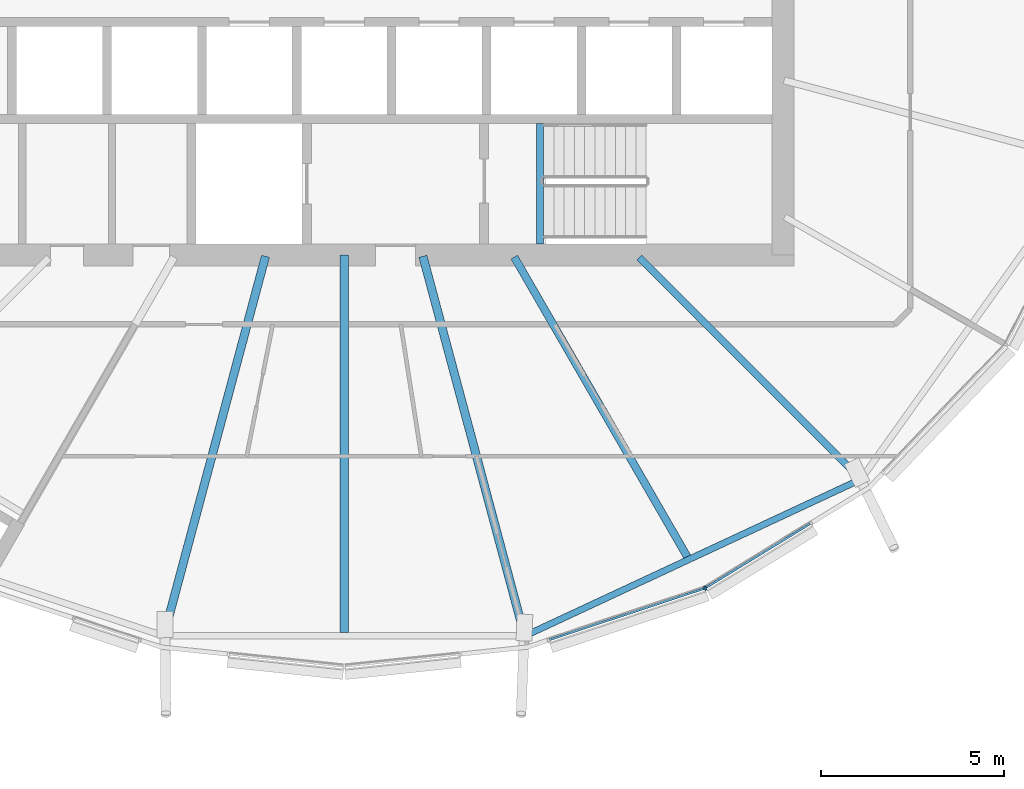
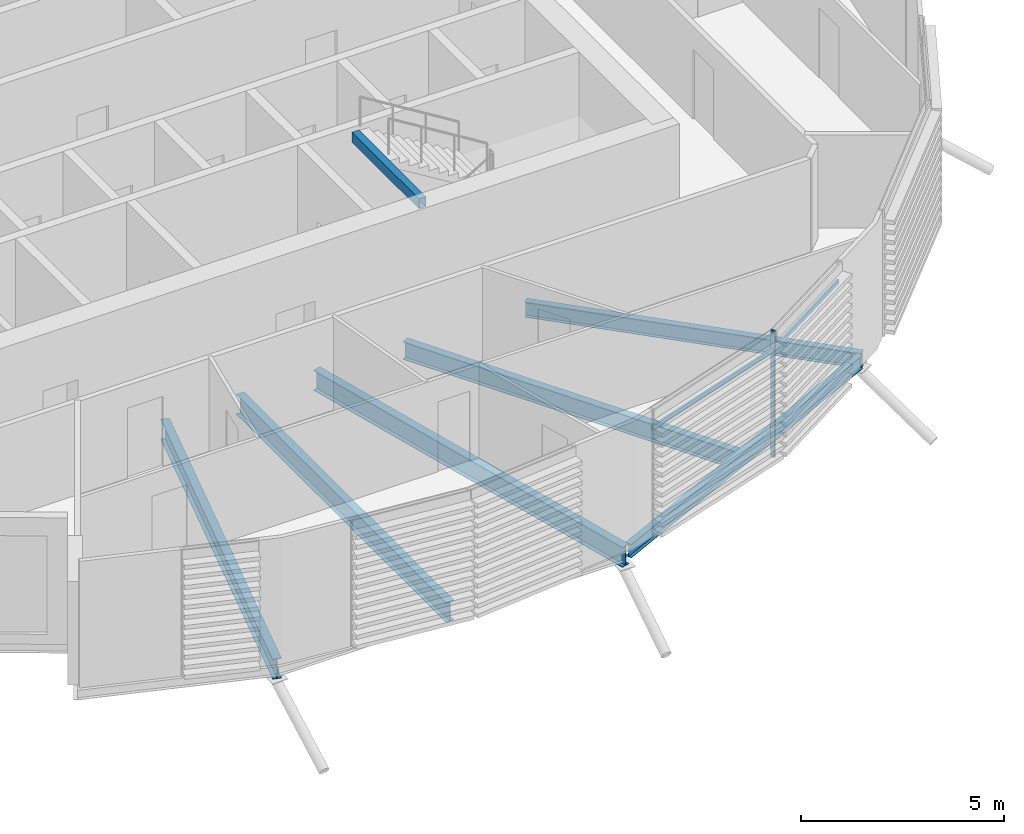
# One storey, part 4 of 35: 7 beams, 3 members, 1 element without a shape of its own.
"""IFC4 building model written with IfcOpenShell, lengths in metres."""

from ifc_helpers import new_model, si_unit, direction, frame, origin, origin_2d, place, context, subcontext, project, spatial, rectangle, hollow_rectangle, i_section, extrude, material, material_profile, profile_set, type_object, element, aggregate, save


model = new_model("IFC4")

# Units and contexts
model_context = context("Model", 3, precision=1e-05, world=origin(), true_north=direction((0.0, 1.0)))
body_context = subcontext(model_context, "Body", "Model", "MODEL_VIEW")
ifc_project = project(units=[si_unit("LENGTHUNIT", "METRE"), si_unit("AREAUNIT", "SQUARE_METRE"), si_unit("VOLUMEUNIT", "CUBIC_METRE"), si_unit("PLANEANGLEUNIT", "RADIAN"), si_unit("MASSUNIT", "GRAM", prefix="KILO")], contexts=[model_context])

# Site, building, storey
site_placement = place(None, origin())
site = spatial("IfcSite", under=ifc_project, at=site_placement, CompositionType="ELEMENT")
building_placement = place(site_placement, origin())
building = spatial("IfcBuilding", under=site, at=building_placement, Name="Rimbun Link Towers", CompositionType="ELEMENT")
storey_placement = place(building_placement, frame((0.0, 0.0, 196.89990234375)))
storey = spatial("IfcBuildingStorey", under=building, at=storey_placement, Name="L48", CompositionType="ELEMENT", Elevation=196.89990234375)

# Curtain wall, members
ifc_material_1 = material(Name="Aluminium 6063-T6 and low-iron glass", Category="aluminium")
curtain_wall_type = type_object("IfcCurtainWallType", Name="CW1-Z3 unitised vision wall (zone 3)", PredefinedType="NOTDEFINED", material=ifc_material_1)
curtain_wall_placement = place(storey_placement, origin())
curtain_wall = element("IfcCurtainWall", 1, at=curtain_wall_placement, inside=storey, type_object=curtain_wall_type, Name="CW1 L48 T1", PredefinedType="NOTDEFINED")
ifc_material_2 = material(Name="Aluminium 6063-T6", Category="aluminium")
ifc_material_profile_1 = material_profile(ifc_material_2, rectangle(XDim=0.1201171875, YDim=0.06005859375, at=origin_2d()), Name="MULLION 60X120")
ifc_profile_set_1 = profile_set([ifc_material_profile_1], Name="Aluminium 6063-T6")
member_type_1 = type_object("IfcMemberType", Name="CW1 mullion 60X120", PredefinedType="MULLION", material=ifc_profile_set_1)
member_1_placement = place(storey_placement, frame((-21.881103515625, -17.10400390625, 0.0), z_axis=(0.0, 0.0, 1.0), x_axis=(0.421694621362, -0.906737914899, 0.0)))
member_1 = element("IfcMember", 2, at=member_1_placement, type_object=member_type_1, Name="CW1 mullion", PredefinedType="MULLION", context=body_context, shape_type="SweptSolid", body=[
    extrude(rectangle(XDim=0.1201171875, YDim=0.06005859375, at=origin_2d()), origin(), (0.0, 0.0, 1.0), 3.800048828125),
])
ifc_material_3 = material(Name="Aluminium 6063-T6", Category="aluminium")
ifc_material_profile_2 = material_profile(ifc_material_3, rectangle(XDim=0.06005859375, YDim=0.1201171875, at=origin_2d()), Name="TRANSOM 60X120")
ifc_profile_set_2 = profile_set([ifc_material_profile_2], Name="Aluminium 6063-T6")
member_type_2 = type_object("IfcMemberType", Name="CW1 transom 60X120", PredefinedType="USERDEFINED", material=ifc_profile_set_2)
member_2_placement = place(storey_placement, frame((-21.916748046875, -17.1142578125, 3.2001953125), z_axis=(-0.949247657744, -0.314529623833, 0.0), x_axis=(0.314529623833, -0.949247657744, 0.0)))
member_2 = element("IfcMember", 3, at=member_2_placement, type_object=member_type_2, Name="CW1 transom", ObjectType="TRANSOM", PredefinedType="USERDEFINED", context=body_context, shape_type="SweptSolid", body=[
    extrude(rectangle(XDim=0.06005859375, YDim=0.1201171875, at=origin_2d()), origin(), (0.0, 0.0, 1.0), 4.44384765625),
])
member_3_placement = place(storey_placement, frame((-19.013427734375, -15.341552734375, 3.2001953125), z_axis=(-0.852194171963, -0.523225661901, 0.0), x_axis=(0.523225661901, -0.852194171963, 0.0)))
member_3 = element("IfcMember", 4, at=member_3_placement, type_object=member_type_2, Name="CW1 transom", ObjectType="TRANSOM", PredefinedType="USERDEFINED", context=body_context, shape_type="SweptSolid", body=[
    extrude(rectangle(XDim=0.06005859375, YDim=0.1201171875, at=origin_2d()), origin(), (0.0, 0.0, 1.0), 3.329345703125),
])
aggregate(curtain_wall, [member_1, member_2, member_3])

# Beams
ifc_material_4 = material(Name="Steel S355J2", Category="steel")
ifc_material_profile_3 = material_profile(ifc_material_4, hollow_rectangle(XDim=0.199951171875, YDim=0.300048828125, WallThickness=0.011962890625, at=origin_2d()), Name="BOX 300x200x12")
ifc_profile_set_3 = profile_set([ifc_material_profile_3], Name="Steel S355J2")
beam_type_1 = type_object("IfcBeamType", Name="Stair trimmer beam BOX 300x200x12", PredefinedType="BEAM", material=ifc_profile_set_3)
beam_1_placement = place(storey_placement, frame((-26.39990234375, -7.699951171875, 3.5), z_axis=(0.0, 1.0, 0.0), x_axis=(-1.0, 0.0, 0.0)))
element("IfcBeam", 5, at=beam_1_placement, inside=storey, type_object=beam_type_1, Name="L48 ST2 stair beam 1", PredefinedType="BEAM", context=body_context, shape_type="SweptSolid", body=[
    extrude(hollow_rectangle(XDim=0.199951171875, YDim=0.300048828125, WallThickness=0.011962890625, at=origin_2d()), origin(), (0.0, 0.0, 1.0), 3.300048828125),
])
ifc_material_5 = material(Name="Steel S355J2", Category="steel")
ifc_material_profile_4 = material_profile(ifc_material_5, i_section(OverallWidth=0.177978515625, OverallDepth=0.406494140625, WebThickness=0.0078125, FlangeThickness=0.0126953125, at=origin_2d()), Name="UB 406x178x60")
ifc_profile_set_4 = profile_set([ifc_material_profile_4], Name="Steel S355J2")
beam_type_2 = type_object("IfcBeamType", Name="UB 406x178x60", PredefinedType="BEAM", material=ifc_profile_set_4)
beam_2_placement = place(storey_placement, frame((-26.711181640625, -18.361572265625, -0.35302734375), z_axis=(0.906412403609, 0.42239383824, 0.0), x_axis=(-0.42239383824, 0.906412403609, 0.0)))
element("IfcBeam", 6, at=beam_2_placement, inside=storey, type_object=beam_type_2, Name="Edge beam T1 L48 19-21", PredefinedType="BEAM", context=body_context, shape_type="SweptSolid", body=[
    extrude(i_section(OverallWidth=0.177978515625, OverallDepth=0.406494140625, WebThickness=0.0078125, FlangeThickness=0.0126953125, at=origin_2d()), origin(), (0.0, 0.0, 1.0), 9.924072265625),
])
ifc_material_6 = material(Name="Steel S355J2", Category="steel")
ifc_material_profile_5 = material_profile(ifc_material_6, i_section(OverallWidth=0.18994140625, OverallDepth=0.453369140625, WebThickness=0.008544921875, FlangeThickness=0.0126953125, at=origin_2d()), Name="UB 457x191x67")
ifc_profile_set_5 = profile_set([ifc_material_profile_5], Name="Steel S355J2")
beam_type_3 = type_object("IfcBeamType", Name="UB 457x191x67", PredefinedType="BEAM", material=ifc_profile_set_5)
beam_3_placement = place(storey_placement, frame((-23.68212890625, -8.06787109375, -0.376708984375), z_axis=(0.707106781187, -0.707106781187, 0.0), x_axis=(0.707106781187, 0.707106781187, 0.0)))
element("IfcBeam", 7, at=beam_3_placement, inside=storey, type_object=beam_type_3, Name="Radial beam T1 L48 21", PredefinedType="BEAM", context=body_context, shape_type="SweptSolid", body=[
    extrude(i_section(OverallWidth=0.18994140625, OverallDepth=0.453369140625, WebThickness=0.008544921875, FlangeThickness=0.0126953125, at=origin_2d()), origin(), (0.0, 0.0, 1.0), 8.568603515625),
])
ifc_material_7 = material(Name="Steel S355J2", Category="steel")
ifc_material_profile_6 = material_profile(ifc_material_7, i_section(OverallWidth=0.209228515625, OverallDepth=0.533203125, WebThickness=0.010009765625, FlangeThickness=0.015625, at=origin_2d()), Name="UB 533x210x92")
ifc_profile_set_6 = profile_set([ifc_material_profile_6], Name="Steel S355J2")
beam_type_4 = type_object("IfcBeamType", Name="UB 533x210x92", PredefinedType="BEAM", material=ifc_profile_set_6)
beam_4_placement = place(storey_placement, frame((-27.1005859375, -8.05322265625, -0.41650390625), z_axis=(0.500007824733, -0.866020886126, 0.0), x_axis=(0.866020886126, 0.500007824733, 0.0)))
element("IfcBeam", 8, at=beam_4_placement, inside=storey, type_object=beam_type_4, Name="Radial beam T1 L48 20", PredefinedType="BEAM", context=body_context, shape_type="SweptSolid", body=[
    extrude(i_section(OverallWidth=0.209228515625, OverallDepth=0.533203125, WebThickness=0.010009765625, FlangeThickness=0.015625, at=origin_2d()), origin(), (0.0, 0.0, 1.0), 9.454345703125),
])
ifc_material_8 = material(Name="Steel S355J2", Category="steel")
ifc_material_profile_7 = material_profile(ifc_material_8, i_section(OverallWidth=0.2275390625, OverallDepth=0.6025390625, WebThickness=0.010498046875, FlangeThickness=0.014892578125, at=origin_2d()), Name="UB 610x229x101")
ifc_profile_set_7 = profile_set([ifc_material_profile_7], Name="Steel S355J2")
beam_type_5 = type_object("IfcBeamType", Name="UB 610x229x101", PredefinedType="BEAM", material=ifc_profile_set_7)
beam_5_placement = place(storey_placement, frame((-33.901611328125, -8.030517578125, -0.451171875), z_axis=(-0.258840294458, -0.965920132291, 0.0), x_axis=(0.965920132291, -0.258840294458, 0.0)))
element("IfcBeam", 9, at=beam_5_placement, inside=storey, type_object=beam_type_5, Name="Radial beam T1 L48 17", PredefinedType="BEAM", context=body_context, shape_type="SweptSolid", body=[
    extrude(i_section(OverallWidth=0.2275390625, OverallDepth=0.6025390625, WebThickness=0.010498046875, FlangeThickness=0.014892578125, at=origin_2d()), origin(), (0.0, 0.0, 1.0), 10.656494140625),
])
beam_6_placement = place(storey_placement, frame((-31.75, -8.0009765625, -0.451171875), z_axis=(0.0, -1.0, 0.0), x_axis=(1.0, 0.0, 0.0)))
element("IfcBeam", 10, at=beam_6_placement, inside=storey, type_object=beam_type_5, Name="Radial beam T1 L48 18", PredefinedType="BEAM", context=body_context, shape_type="SweptSolid", body=[
    extrude(i_section(OverallWidth=0.2275390625, OverallDepth=0.6025390625, WebThickness=0.010498046875, FlangeThickness=0.014892578125, at=origin_2d()), origin(), (0.0, 0.0, 1.0), 10.31982421875),
])
beam_7_placement = place(storey_placement, frame((-29.598388671875, -8.030517578125, -0.451171875), z_axis=(0.258831851785, -0.965922394658, 0.0), x_axis=(0.965922394658, 0.258831851785, 0.0)))
element("IfcBeam", 11, at=beam_7_placement, inside=storey, type_object=beam_type_5, Name="Radial beam T1 L48 19", PredefinedType="BEAM", context=body_context, shape_type="SweptSolid", body=[
    extrude(i_section(OverallWidth=0.2275390625, OverallDepth=0.6025390625, WebThickness=0.010498046875, FlangeThickness=0.014892578125, at=origin_2d()), origin(), (0.0, 0.0, 1.0), 10.746337890625),
])

save(model, "model.ifc")
